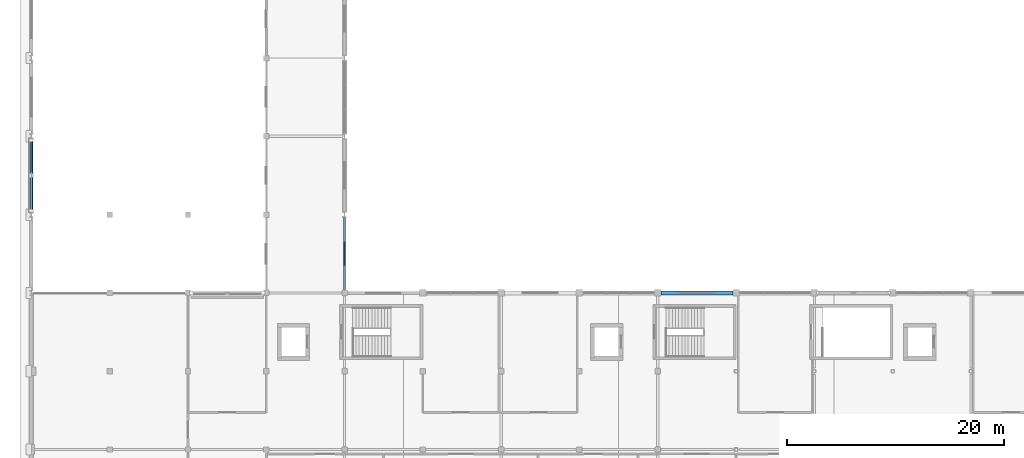
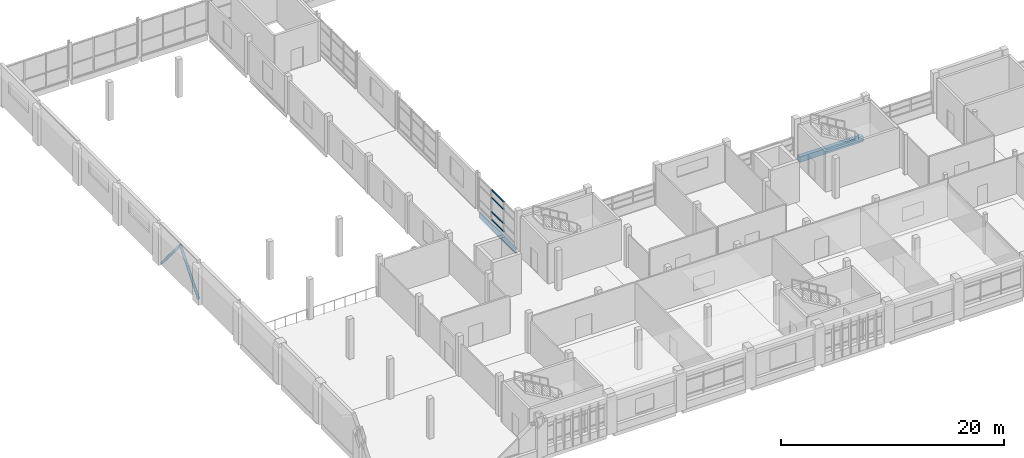
# One storey, part 15 of 71: 6 members, 2 beams, 1 element without a shape of its own.
"""IFC4 building model written with IfcOpenShell, lengths in metres."""

from ifc_helpers import new_model, si_unit, direction, frame, origin, origin_2d, place, context, subcontext, project, spatial, rectangle, hollow_circle, i_section, extrude, material, material_profile, profile_set, type_object, element, aggregate, save


model = new_model("IFC4")

# Units and contexts
model_context = context("Model", 3, precision=1e-05, world=origin(), true_north=direction((0.0, 1.0)))
body_context = subcontext(model_context, "Body", "Model", "MODEL_VIEW")
ifc_project = project(units=[si_unit("LENGTHUNIT", "METRE"), si_unit("AREAUNIT", "SQUARE_METRE"), si_unit("VOLUMEUNIT", "CUBIC_METRE"), si_unit("PLANEANGLEUNIT", "RADIAN"), si_unit("MASSUNIT", "GRAM", prefix="KILO")], contexts=[model_context])

# Site, building, storey
site_placement = place(None, origin())
site = spatial("IfcSite", under=ifc_project, at=site_placement, CompositionType="ELEMENT")
building_placement = place(site_placement, origin())
building = spatial("IfcBuilding", under=site, at=building_placement, Name="Sardonyx Promenade Sports Hall", CompositionType="ELEMENT")
storey_placement = place(building_placement, frame((0.0, 0.0, 16.0)))
storey = spatial("IfcBuildingStorey", under=building, at=storey_placement, Name="L03", CompositionType="ELEMENT", Elevation=16.0)

# Beams
ifc_material_1 = material(Name="Steel S355JR", Category="steel")
ifc_material_profile_1 = material_profile(ifc_material_1, i_section(OverallWidth=0.199951171875, OverallDepth=0.5, WebThickness=0.01025390625, FlangeThickness=0.01611328125, at=origin_2d()))
ifc_profile_set_1 = profile_set([ifc_material_profile_1], Name="Steel S355JR")
beam_type_1 = type_object("IfcBeamType", Name="Bm_Primary_IPE500", PredefinedType="BEAM", material=ifc_profile_set_1)
beam_1_placement = place(storey_placement, frame((28.800048828125, 29.10009765625, -0.449951171875), z_axis=(0.0, 1.0, 0.0), x_axis=(-1.0, 0.0, 0.0)))
element("IfcBeam", 1, at=beam_1_placement, inside=storey, type_object=beam_type_1, Name="Beam SB06 L03 #823", PredefinedType="BEAM", context=body_context, shape_type="SweptSolid", body=[
    extrude(i_section(OverallWidth=0.199951171875, OverallDepth=0.5, WebThickness=0.01025390625, FlangeThickness=0.01611328125, at=origin_2d()), origin(), (0.0, 0.0, 1.0), 6.679931640625),
])
ifc_material_2 = material(Name="Concrete C40/50", Category="concrete")
ifc_material_profile_2 = material_profile(ifc_material_2, rectangle(XDim=0.39990234375, YDim=0.60009765625, at=origin_2d()))
ifc_profile_set_2 = profile_set([ifc_material_profile_2], Name="Concrete C40/50")
beam_type_2 = type_object("IfcBeamType", Name="Bm_Spandrel_RC600", PredefinedType="SPANDREL", material=ifc_profile_set_2)
beam_2_placement = place(storey_placement, frame((57.89990234375, 28.800048828125, -0.300048828125), z_axis=(1.0, 0.0, 0.0), x_axis=(0.0, 1.0, 0.0)))
element("IfcBeam", 2, at=beam_2_placement, inside=storey, type_object=beam_type_2, Name="Beam SPB1 L03 #760", PredefinedType="SPANDREL", context=body_context, shape_type="SweptSolid", body=[
    extrude(rectangle(XDim=0.39990234375, YDim=0.60009765625, at=origin_2d()), origin(), (0.0, 0.0, 1.0), 6.60009765625),
])

# Curtain wall, members
ifc_material_3 = material(Name="Aluminium 6063-T6", Category="aluminium")
curtain_wall_type = type_object("IfcCurtainWallType", Name="CW_South_L03_640", PredefinedType="USERDEFINED", material=ifc_material_3)
curtain_wall_placement = place(storey_placement, origin())
curtain_wall = element("IfcCurtainWall", 3, at=curtain_wall_placement, inside=storey, type_object=curtain_wall_type, Name="Curtain wall CW14 cw:L03:157", ObjectType="CURTAIN WALL", PredefinedType="USERDEFINED")
ifc_material_4 = material(Name="Aluminium 6063-T6", Category="aluminium")
ifc_material_profile_3 = material_profile(ifc_material_4, rectangle(XDim=0.06005859375, YDim=0.1201171875, at=origin_2d()))
ifc_profile_set_3 = profile_set([ifc_material_profile_3], Name="Aluminium 6063-T6")
member_type_1 = type_object("IfcMemberType", Name="CW_Tran_120", PredefinedType="USERDEFINED", material=ifc_profile_set_3)
member_1_placement = place(storey_placement, frame((28.800048828125, 33.489990234375, 0.3798828125), z_axis=(0.0, -1.0, 0.0), x_axis=(0.0, 0.0, 1.0)))
member_1 = element("IfcMember", 4, at=member_1_placement, type_object=member_type_1, Name="Transom CT01 cw:L03:157 #5", ObjectType="TRANSOM", PredefinedType="USERDEFINED", context=body_context, shape_type="SweptSolid", body=[
    extrude(rectangle(XDim=0.06005859375, YDim=0.1201171875, at=origin_2d()), origin(), (0.0, 0.0, 1.0), 2.14990234375),
])
member_2_placement = place(storey_placement, frame((28.800048828125, 33.489990234375, 1.25), z_axis=(0.0, -1.0, 0.0), x_axis=(0.0, 0.0, 1.0)))
member_2 = element("IfcMember", 5, at=member_2_placement, type_object=member_type_1, Name="Transom CT01 cw:L03:157 #6", ObjectType="TRANSOM", PredefinedType="USERDEFINED", context=body_context, shape_type="SweptSolid", body=[
    extrude(rectangle(XDim=0.06005859375, YDim=0.1201171875, at=origin_2d()), origin(), (0.0, 0.0, 1.0), 2.14990234375),
])
member_3_placement = place(storey_placement, frame((28.800048828125, 33.489990234375, 2.800048828125), z_axis=(0.0, -1.0, 0.0), x_axis=(0.0, 0.0, 1.0)))
member_3 = element("IfcMember", 6, at=member_3_placement, type_object=member_type_1, Name="Transom CT01 cw:L03:157 #7", ObjectType="TRANSOM", PredefinedType="USERDEFINED", context=body_context, shape_type="SweptSolid", body=[
    extrude(rectangle(XDim=0.06005859375, YDim=0.1201171875, at=origin_2d()), origin(), (0.0, 0.0, 1.0), 2.14990234375),
])
member_4_placement = place(storey_placement, frame((28.800048828125, 33.489990234375, 3.625), z_axis=(0.0, -1.0, 0.0), x_axis=(0.0, 0.0, 1.0)))
member_4 = element("IfcMember", 7, at=member_4_placement, type_object=member_type_1, Name="Transom CT01 cw:L03:157 #8", ObjectType="TRANSOM", PredefinedType="USERDEFINED", context=body_context, shape_type="SweptSolid", body=[
    extrude(rectangle(XDim=0.06005859375, YDim=0.1201171875, at=origin_2d()), origin(), (0.0, 0.0, 1.0), 2.14990234375),
])
aggregate(curtain_wall, [member_1, member_2, member_3, member_4])

# Members
ifc_material_5 = material(Name="Steel S355JR", Category="steel")
ifc_material_profile_4 = material_profile(ifc_material_5, hollow_circle(Radius=0.136474609375, WallThickness=0.012451171875, at=origin_2d()))
ifc_profile_set_4 = profile_set([ifc_material_profile_4], Name="Steel S355JR")
member_type_2 = type_object("IfcMemberType", Name="Mbr_Brace_CHS273_Ext", PredefinedType="BRACE", material=ifc_profile_set_4)
member_5_placement = place(storey_placement, frame((0.0, 36.300048828125, 0.02001953125), z_axis=(0.0, 0.64306711619, 0.765809822394), x_axis=(-1.0, 0.0, 0.0)))
element("IfcMember", 8, at=member_5_placement, inside=storey, type_object=member_type_2, Name="Chevron brace BR01 BF1 L03 leg 1", PredefinedType="BRACE", context=body_context, shape_type="SweptSolid", body=[
    extrude(hollow_circle(Radius=0.136474609375, WallThickness=0.012451171875, at=origin_2d()), origin(), (0.0, 0.0, 1.0), 5.1318359375),
])
member_6_placement = place(storey_placement, frame((0.0, 42.89990234375, 0.02001953125), z_axis=(0.0, -0.643039214032, 0.765833251574), x_axis=(1.0, 0.0, 0.0)))
element("IfcMember", 9, at=member_6_placement, inside=storey, type_object=member_type_2, Name="Chevron brace BR01 BF1 L03 leg 2", PredefinedType="BRACE", context=body_context, shape_type="SweptSolid", body=[
    extrude(hollow_circle(Radius=0.136474609375, WallThickness=0.012451171875, at=origin_2d()), origin(), (0.0, 0.0, 1.0), 5.131591796875),
])

save(model, "model.ifc")
